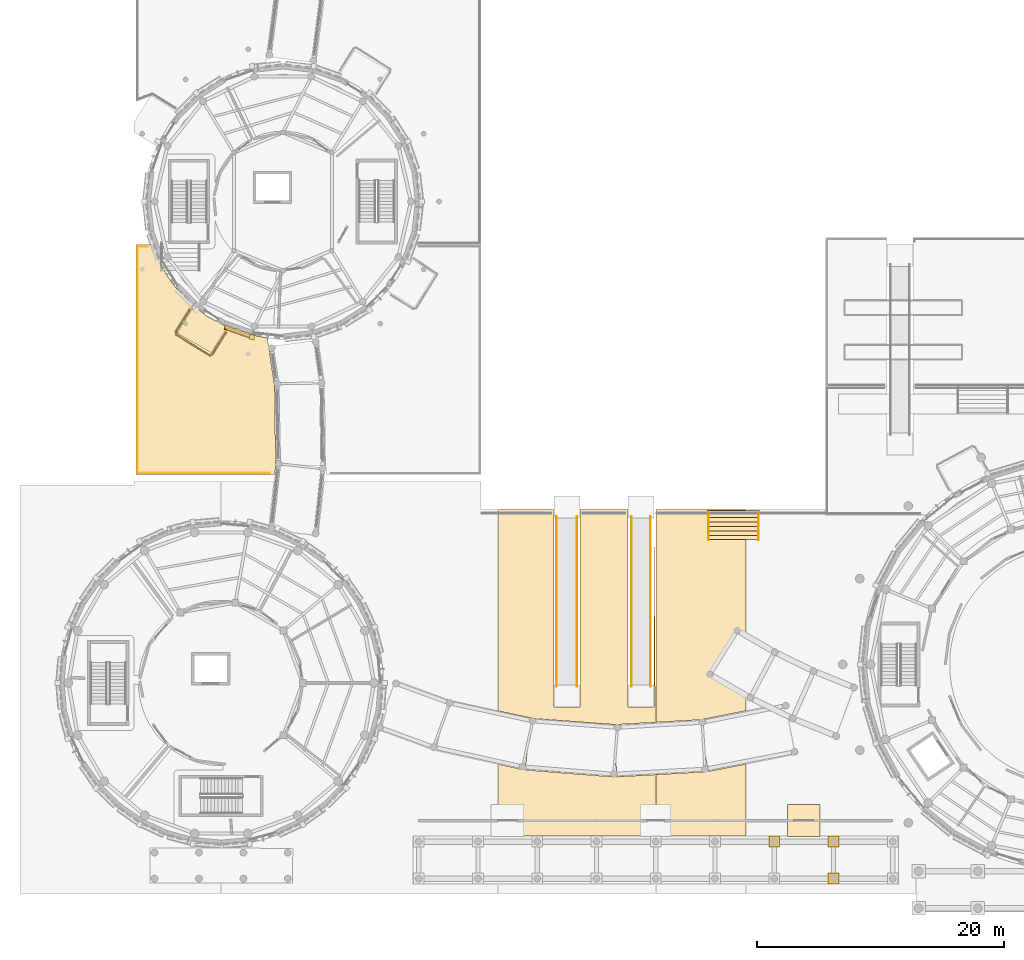
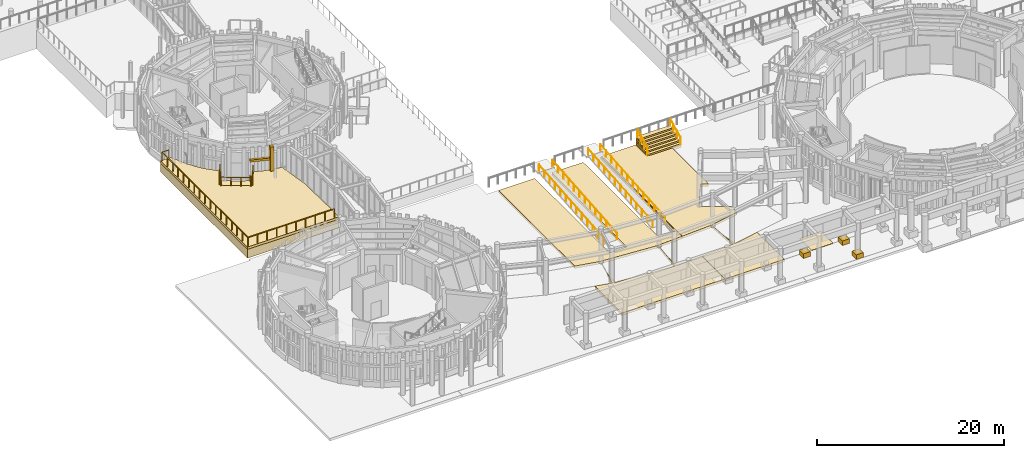
# One storey, part 70 of 94: 18 coverings, 8 railings.
"""IFC4 building model written with IfcOpenShell, lengths in metres."""

from ifc_helpers import new_model, si_unit, direction, frame, origin, origin_2d, place, context, subcontext, project, spatial, polyline, rectangle, circle, outline, extrude, material, layer, layer_set, type_object, element, save


model = new_model("IFC4")

# Units and contexts
model_context = context("Model", 3, precision=1e-05, world=origin(), true_north=direction((0.0, 1.0)))
body_context = subcontext(model_context, "Body", "Model", "MODEL_VIEW")
ifc_project = project(units=[si_unit("LENGTHUNIT", "METRE"), si_unit("AREAUNIT", "SQUARE_METRE"), si_unit("VOLUMEUNIT", "CUBIC_METRE"), si_unit("PLANEANGLEUNIT", "RADIAN"), si_unit("MASSUNIT", "GRAM", prefix="KILO")], contexts=[model_context])

# Site, building, storey
site_placement = place(None, origin())
site = spatial("IfcSite", under=ifc_project, at=site_placement, CompositionType="ELEMENT")
building_placement = place(site_placement, origin())
building = spatial("IfcBuilding", under=site, at=building_placement, Name="Aldenvaro Health Centre", CompositionType="ELEMENT")
storey_placement = place(building_placement, origin())
storey = spatial("IfcBuildingStorey", under=building, at=storey_placement, Name="L00", CompositionType="ELEMENT", Elevation=0.0)

# Coverings
ifc_material_1 = material(Name="Honed Sonoran Buff Limestone", Category="masonry")
ifc_layer_1 = layer(ifc_material_1, 0.280029296875, Name="Honed Sonoran Buff Limestone", Category="masonry")
ifc_layer_set_1 = layer_set([ifc_layer_1], Name="Honed Sonoran Buff Limestone")
covering_type_1 = type_object("IfcCoveringType", Name="COV-CRN-STN", PredefinedType="CLADDING", material=ifc_layer_set_1)
covering_1_placement = place(storey_placement, frame((19.81103515625, 46.955078125, 0.0), z_axis=(0.0, 0.0, 1.0), x_axis=(-0.943909441385, 0.330204431323, 0.0)))
element("IfcCovering", 1, at=covering_1_placement, inside=storey, type_object=covering_type_1, Name="D3 L00 Rusticated Limestone Plinth 9.1", PredefinedType="CLADDING", context=body_context, shape_type="SweptSolid", body=[
    extrude(rectangle(XDim=2.160888671875, YDim=0.340087890625, at=origin_2d()), origin(), (0.0, 0.0, 1.0), 0.719970703125),
])
covering_2_placement = place(storey_placement, frame((19.821044921875, 46.98291015625, 2.5498046875), z_axis=(0.0, 0.0, 1.0), x_axis=(-0.943909441385, 0.330204431323, 0.0)))
element("IfcCovering", 2, at=covering_2_placement, inside=storey, type_object=covering_type_1, Name="D3 L00 Rusticated Limestone Plinth 9.2", PredefinedType="CLADDING", context=body_context, shape_type="SweptSolid", body=[
    extrude(rectangle(XDim=2.160888671875, YDim=0.280029296875, at=origin_2d()), origin(), (0.0, 0.0, 1.0), 0.280029296875),
])
covering_3_placement = place(storey_placement, frame((20.9990234375, 46.5419921875, -0.00048828125), z_axis=(0.0, 0.0, 1.0), x_axis=(-0.222473549538, -0.974938726155, 0.0)))
element("IfcCovering", 3, at=covering_3_placement, inside=storey, type_object=covering_type_1, Name="D3 L00 Engaged Classical Limestone Pilaster 05", PredefinedType="CLADDING", context=body_context, shape_type="SweptSolid", body=[
    extrude(rectangle(XDim=0.43994140625, YDim=0.3798828125, at=origin_2d()), origin(), (0.0, 0.0, 1.0), 4.304931640625),
])
covering_4_placement = place(storey_placement, frame((0.0, 0.0, -0.320068359375)))
element("IfcCovering", 4, at=covering_4_placement, inside=storey, type_object=covering_type_1, Name="Lower Foothill Wing and Amphitheatre Court Terrace Rusticated Foothill Stone Plinth 6", PredefinedType="CLADDING", context=body_context, shape_type="SweptSolid", body=[
    extrude(outline(polyline([(12.846923828125, 54.0), (13.675048828125, 52.2490234375), (14.237060546875, 51.31103515625), (14.888916015625, 50.43310546875), (16.24609375, 49.05810546875), (14.923095703125, 46.949951171875), (14.965087890625, 46.764892578125), (17.5869140625, 45.136962890625), (17.72412109375, 45.20703125), (19.029052734375, 47.282958984375), (20.26611328125, 46.840087890625), (22.248046875, 46.43701171875), (22.806884765625, 42.655029296875), (22.9208984375, 36.152099609375), (22.8369140625, 35.39990234375), (11.60009765625, 35.39990234375), (11.60009765625, 54.0), (12.846923828125, 54.0)])), origin(), (0.0, 0.0, 1.0), 1.150146484375),
])
covering_5_placement = place(storey_placement, frame((0.0, 0.0, -0.320068359375)))
element("IfcCovering", 5, at=covering_5_placement, inside=storey, type_object=covering_type_1, Name="Classical Terrace Grand Stair GST-C1 Solid Stone Carriage", PredefinedType="CLADDING", context=body_context, shape_type="SweptSolid", body=[
    extrude(outline(polyline([(57.89990234375, 30.10009765625), (62.10009765625, 30.10009765625), (62.10009765625, 32.4599609375), (57.89990234375, 32.4599609375), (57.89990234375, 30.10009765625)])), origin(), (0.0, 0.0, 1.0), 0.511962890625),
])
for number, where, z_axis, x_axis, name in (
    (6, (63.300048828125, 5.64990234375, 0.0), (0.0, 0.0, 1.0), (1.0, 0.0, 0.0), "South Stoa Classical Column Plinth 14"),
    (7, (68.10009765625, 2.64990234375, 0.0), (0.0, 0.0, 1.0), (1.0, 0.0, 0.0), "South Stoa Classical Column Plinth 15"),
    (8, (68.10009765625, 5.64990234375, 0.0), (0.0, 0.0, 1.0), (1.0, 0.0, 0.0), "South Stoa Classical Column Plinth 16"),
):
    element("IfcCovering", number, at=place(storey_placement, frame(where, z_axis=z_axis, x_axis=x_axis)), inside=storey, type_object=covering_type_1, Name=name, PredefinedType="CLADDING", context=body_context, shape_type="SweptSolid", body=[
        extrude(rectangle(XDim=0.8798828125, YDim=0.8798828125, at=origin_2d()), origin(), (0.0, 0.0, 1.0), 0.60009765625),
    ])
ifc_material_2 = material(Name="Honed Arizona Limestone Walk", Category="masonry")
ifc_layer_2 = layer(ifc_material_2, 0.06005859375, Name="Honed Arizona Limestone Walk", Category="masonry")
ifc_layer_set_2 = layer_set([ifc_layer_2], Name="Honed Arizona Limestone Walk")
covering_type_2 = type_object("IfcCoveringType", Name="COV-GDN-PATH", PredefinedType="FLOORING", material=ifc_layer_set_2)
covering_6_placement = place(storey_placement, origin())
element("IfcCovering", 9, at=covering_6_placement, inside=storey, type_object=covering_type_2, Name="Therapy Garden Security Gate Threshold Apron 3", PredefinedType="FLOORING", context=body_context, shape_type="SweptSolid", body=[
    extrude(outline(polyline([(64.3759765625, 6.050048828125), (67.02587890625, 6.050048828125), (67.02587890625, 8.64990234375), (64.3759765625, 8.64990234375), (64.3759765625, 6.050048828125)])), origin(), (0.0, 0.0, 1.0), 0.0400390625),
])
ifc_material_3 = material(Name="Honed Sonoran Buff Travertine", Category="masonry")
ifc_layer_3 = layer(ifc_material_3, 0.320068359375, Name="Honed Sonoran Buff Travertine", Category="masonry")
ifc_layer_set_3 = layer_set([ifc_layer_3], Name="Honed Sonoran Buff Travertine")
covering_type_3 = type_object("IfcCoveringType", Name="COV-POD-320", PredefinedType="FLOORING", material=ifc_layer_set_3)
covering_7_placement = place(storey_placement, frame((0.0, 0.0, -0.320068359375)))
element("IfcCovering", 10, at=covering_7_placement, inside=storey, type_object=covering_type_3, Name="South Street Entrance Stylobate Forecourt Section 3", PredefinedType="FLOORING", context=body_context, shape_type="SweptSolid", body=[
    extrude(outline(polyline([(47.56005859375, 16.549072265625), (47.56005859375, 32.550048828125), (51.43994140625, 32.550048828125), (51.449951171875, 16.5400390625), (53.56005859375, 16.549072265625), (53.56005859375, 32.550048828125), (53.68408203125, 15.30810546875), (50.64501953125, 15.134033203125), (50.447021484375, 12.7109375), (50.553955078125, 10.89599609375), (53.68408203125, 11.072021484375), (53.68408203125, 6.111083984375), (40.962890625, 6.116943359375), (40.962890625, 11.909912109375), (42.881103515625, 11.490966796875), (43.318115234375, 13.409912109375), (43.158935546875, 11.449951171875), (50.284912109375, 10.888916015625), (50.632080078125, 15.10693359375), (43.799072265625, 15.614990234375), (40.962890625, 16.222900390625), (40.962890625, 32.550048828125), (45.43994140625, 32.550048828125), (45.449951171875, 16.5400390625), (47.56005859375, 16.549072265625)])), origin(), (0.0, 0.0, 1.0), 0.320068359375),
])
covering_8_placement = place(storey_placement, frame((0.0, 0.0, -0.320068359375)))
element("IfcCovering", 11, at=covering_8_placement, inside=storey, type_object=covering_type_3, Name="South Street Entrance Stylobate Forecourt Section 6", PredefinedType="FLOORING", context=body_context, shape_type="SweptSolid", body=[
    extrude(outline(polyline([(53.714111328125, 6.111083984375), (53.714111328125, 11.073974609375), (57.7109375, 11.300048828125), (57.47412109375, 15.52490234375), (53.714111328125, 15.31005859375), (53.714111328125, 32.550048828125), (61.02490234375, 32.550048828125), (61.02490234375, 22.35400390625), (60.29296875, 22.778076171875), (58.0458984375, 19.197998046875), (61.02490234375, 17.467041015625), (61.02490234375, 16.2451171875), (57.47900390625, 15.5439453125), (57.616943359375, 13.1240234375), (57.97607421875, 11.3349609375), (61.02490234375, 11.93310546875), (61.02490234375, 6.10791015625), (53.714111328125, 6.111083984375)])), origin(), (0.0, 0.0, 1.0), 0.320068359375),
])
covering_9_placement = place(storey_placement, frame((0.0, 0.0, -0.320068359375)))
element("IfcCovering", 12, at=covering_9_placement, inside=storey, type_object=covering_type_3, Name="South Street Entrance Stylobate Forecourt Section 18", PredefinedType="FLOORING", context=body_context, shape_type="SweptSolid", body=[
    extrude(outline(polyline([(19.0048828125, 47.31494140625), (17.696044921875, 45.238037109375), (15.0009765625, 46.7900390625), (14.966064453125, 46.943115234375), (16.277099609375, 49.030029296875), (17.31103515625, 48.237060546875), (19.0048828125, 47.31494140625)])), origin(), (0.0, 0.0, 1.0), 0.320068359375),
])
covering_10_placement = place(storey_placement, frame((0.0, 0.0, 0.830078125)))
element("IfcCovering", 13, at=covering_10_placement, inside=storey, type_object=covering_type_3, Name="Lower Foothill Wing and Amphitheatre Court Terrace Coping Deck 6", PredefinedType="FLOORING", context=body_context, shape_type="SweptSolid", body=[
    extrude(outline(polyline([(12.846923828125, 54.0), (13.675048828125, 52.2490234375), (14.237060546875, 51.31103515625), (14.888916015625, 50.43310546875), (16.24609375, 49.05810546875), (14.923095703125, 46.949951171875), (14.965087890625, 46.764892578125), (17.5869140625, 45.136962890625), (17.72412109375, 45.20703125), (19.029052734375, 47.282958984375), (20.26611328125, 46.840087890625), (22.248046875, 46.43701171875), (22.806884765625, 42.655029296875), (22.9208984375, 36.152099609375), (22.8369140625, 35.39990234375), (11.60009765625, 35.39990234375), (11.60009765625, 54.0), (12.846923828125, 54.0)])), origin(), (0.0, 0.0, 1.0), 0.31982421875),
])
covering_11_placement = place(storey_placement, frame((0.0, 0.0, 0.19189453125)))
element("IfcCovering", 14, at=covering_11_placement, inside=storey, type_object=covering_type_3, Name="Classical Terrace Grand Stair GST-C1 Stone Step 2", PredefinedType="FLOORING", context=body_context, shape_type="SweptSolid", body=[
    extrude(outline(polyline([(57.89990234375, 30.4599609375), (62.10009765625, 30.4599609375), (62.10009765625, 32.4599609375), (57.89990234375, 32.4599609375), (57.89990234375, 30.4599609375)])), origin(), (0.0, 0.0, 1.0), 0.191162109375),
])
covering_12_placement = place(storey_placement, frame((0.0, 0.0, 0.383056640625)))
element("IfcCovering", 15, at=covering_12_placement, inside=storey, type_object=covering_type_3, Name="Classical Terrace Grand Stair GST-C1 Stone Step 3", PredefinedType="FLOORING", context=body_context, shape_type="SweptSolid", body=[
    extrude(outline(polyline([(57.89990234375, 30.820068359375), (62.10009765625, 30.820068359375), (62.10009765625, 32.4599609375), (57.89990234375, 32.4599609375), (57.89990234375, 30.820068359375)])), origin(), (0.0, 0.0, 1.0), 0.19189453125),
])
covering_13_placement = place(storey_placement, frame((0.0, 0.0, 0.574951171875)))
element("IfcCovering", 16, at=covering_13_placement, inside=storey, type_object=covering_type_3, Name="Classical Terrace Grand Stair GST-C1 Stone Step 4", PredefinedType="FLOORING", context=body_context, shape_type="SweptSolid", body=[
    extrude(outline(polyline([(57.89990234375, 31.179931640625), (62.10009765625, 31.179931640625), (62.10009765625, 32.4599609375), (57.89990234375, 32.4599609375), (57.89990234375, 31.179931640625)])), origin(), (0.0, 0.0, 1.0), 0.192138671875),
])
covering_14_placement = place(storey_placement, frame((0.0, 0.0, 0.76708984375)))
element("IfcCovering", 17, at=covering_14_placement, inside=storey, type_object=covering_type_3, Name="Classical Terrace Grand Stair GST-C1 Stone Step 5", PredefinedType="FLOORING", context=body_context, shape_type="SweptSolid", body=[
    extrude(outline(polyline([(57.89990234375, 31.5400390625), (62.10009765625, 31.5400390625), (62.10009765625, 32.4599609375), (57.89990234375, 32.4599609375), (57.89990234375, 31.5400390625)])), origin(), (0.0, 0.0, 1.0), 0.19091796875),
])
covering_15_placement = place(storey_placement, frame((0.0, 0.0, 0.9580078125)))
element("IfcCovering", 18, at=covering_15_placement, inside=storey, type_object=covering_type_3, Name="Classical Terrace Grand Stair GST-C1 Stone Step 6", PredefinedType="FLOORING", context=body_context, shape_type="SweptSolid", body=[
    extrude(outline(polyline([(57.89990234375, 31.89990234375), (62.10009765625, 31.89990234375), (62.10009765625, 32.4599609375), (57.89990234375, 32.4599609375), (57.89990234375, 31.89990234375)])), origin(), (0.0, 0.0, 1.0), 0.19189453125),
])

# Railings
ifc_material_4 = material(Name="Painted Architectural Steel", Category="steel")
railing_type_1 = type_object("IfcRailingType", Name="RL-BAL-110", PredefinedType="GUARDRAIL", material=ifc_material_4)
for number, where, name in (
    (19, (57.97998046875, 30.10009765625, 0.0), "Classical Terrace Grand Stair GST-C1 Balustrade W"),
    (20, (62.02001953125, 30.10009765625, 0.0), "Classical Terrace Grand Stair GST-C1 Balustrade E"),
):
    element("IfcRailing", number, at=place(storey_placement, frame(where)), inside=storey, type_object=railing_type_1, Name=name, PredefinedType="GUARDRAIL", context=body_context, shape_type="SweptSolid", body=[
        extrude(circle(Radius=0.02392578125, at=origin_2d()), frame((0.0, 0.0, 1.076171875), z_axis=(0.0, 0.882700700626, 0.469935605284), x_axis=(-1.0, 0.0, 0.0)), (0.0, 0.0, 1.0), 2.447021484375),
        extrude(circle(Radius=0.02099609375, at=origin_2d()), origin(), (0.0, 0.0, 1.0), 1.052001953125),
        extrude(circle(Radius=0.02099609375, at=origin_2d()), frame((0.0, 0.719970703125, 0.38330078125)), (0.0, 0.0, 1.0), 1.052001953125),
        extrude(circle(Radius=0.02099609375, at=origin_2d()), frame((0.0, 1.43994140625, 0.7666015625)), (0.0, 0.0, 1.0), 1.052001953125),
        extrude(circle(Radius=0.02099609375, at=origin_2d()), frame((0.0, 2.159912109375, 1.14990234375)), (0.0, 0.0, 1.0), 1.052001953125),
    ])
railing_type_2 = type_object("IfcRailingType", Name="RL-BAL-115", PredefinedType="GUARDRAIL", material=ifc_material_4)
railing_1_placement = place(storey_placement, frame((15.93505859375, 48.7880859375, 1.14990234375)))
element("IfcRailing", 21, at=railing_1_placement, inside=storey, type_object=railing_type_2, Name="Lower Foothill Wing and Amphitheatre Court Terrace Classical Balustrade 12", PredefinedType="GUARDRAIL", context=body_context, shape_type="SweptSolid", body=[
    extrude(circle(Radius=0.02392578125, at=origin_2d()), frame((0.0, 0.0, 1.1357421875), z_axis=(-0.531686473194, -0.846941257835, 0.0), x_axis=(0.846941257835, -0.531686473194, 0.0)), (0.0, 0.0, 1.0), 2.144287109375),
    extrude(circle(Radius=0.02392578125, at=origin_2d()), frame((-1.14013671875, -1.816162109375, 1.1357421875), z_axis=(0.221219645419, -0.975224009385, 0.0), x_axis=(0.975224009385, 0.221219645419, 0.0)), (0.0, 0.0, 1.0), 0.2890625),
    extrude(circle(Radius=0.02392578125, at=origin_2d()), frame((-1.076171875, -2.09814453125, 1.1357421875), z_axis=(0.849458842314, -0.527654882679, 0.0), x_axis=(0.527654882679, 0.849458842314, 0.0)), (0.0, 0.0, 1.0), 3.20458984375),
    extrude(circle(Radius=0.02392578125, at=origin_2d()), frame((1.64599609375, -3.7890625, 1.1357421875), z_axis=(0.890564000386, 0.454857957187, 0.0), x_axis=(-0.454857957187, 0.890564000386, 0.0)), (0.0, 0.0, 1.0), 0.2548828125),
    extrude(circle(Radius=0.02392578125, at=origin_2d()), frame((1.873046875, -3.673095703125, 1.1357421875), z_axis=(0.532131225765, 0.846661891528, 0.0), x_axis=(-0.846661891528, 0.532131225765, 0.0)), (0.0, 0.0, 1.0), 2.108154296875),
    extrude(circle(Radius=0.02099609375, at=origin_2d()), origin(), (0.0, 0.0, 1.0), 1.11181640625),
    extrude(circle(Radius=0.02099609375, at=origin_2d()), frame((-0.570068359375, -0.908203125, 0.0)), (0.0, 0.0, 1.0), 1.11181640625),
    extrude(circle(Radius=0.02099609375, at=origin_2d()), frame((-1.14013671875, -1.816162109375, 0.0)), (0.0, 0.0, 1.0), 1.11181640625),
    extrude(circle(Radius=0.02099609375, at=origin_2d()), frame((-1.076171875, -2.09814453125, 0.0)), (0.0, 0.0, 1.0), 1.11181640625),
    extrude(circle(Radius=0.02099609375, at=origin_2d()), frame((-0.168701171875, -2.661865234375, 0.0)), (0.0, 0.0, 1.0), 1.11181640625),
    extrude(circle(Radius=0.02099609375, at=origin_2d()), frame((0.738525390625, -3.225341796875, 0.0)), (0.0, 0.0, 1.0), 1.11181640625),
    extrude(circle(Radius=0.02099609375, at=origin_2d()), frame((1.64599609375, -3.7890625, 0.0)), (0.0, 0.0, 1.0), 1.11181640625),
    extrude(circle(Radius=0.02099609375, at=origin_2d()), frame((1.873046875, -3.673095703125, 0.0)), (0.0, 0.0, 1.0), 1.11181640625),
    extrude(circle(Radius=0.02099609375, at=origin_2d()), frame((2.43408203125, -2.78076171875, 0.0)), (0.0, 0.0, 1.0), 1.11181640625),
    extrude(circle(Radius=0.02099609375, at=origin_2d()), frame((2.994873046875, -1.88818359375, 0.0)), (0.0, 0.0, 1.0), 1.11181640625),
])
railing_2_placement = place(storey_placement, frame((22.41796875, 35.52001953125, 1.14990234375)))
element("IfcRailing", 22, at=railing_2_placement, inside=storey, type_object=railing_type_2, Name="Lower Foothill Wing and Amphitheatre Court Terrace Classical Balustrade 13", PredefinedType="GUARDRAIL", context=body_context, shape_type="SweptSolid", body=[
    extrude(circle(Radius=0.02392578125, at=origin_2d()), frame((0.0, 0.0, 1.1357421875), z_axis=(-1.0, 0.0, 0.0), x_axis=(0.0, -1.0, 0.0)), (0.0, 0.0, 1.0), 10.697998046875),
    extrude(circle(Radius=0.02392578125, at=origin_2d()), frame((-10.697998046875, 0.0, 1.1357421875), z_axis=(0.0, 1.0, 0.0), x_axis=(-1.0, 0.0, 0.0)), (0.0, 0.0, 1.0), 18.35986328125),
    extrude(circle(Radius=0.02392578125, at=origin_2d()), frame((-10.697998046875, 18.35986328125, 1.1357421875), z_axis=(1.0, 0.0, 0.0), x_axis=(0.0, 1.0, 0.0)), (0.0, 0.0, 1.0), 0.822998046875),
    extrude(circle(Radius=0.02099609375, at=origin_2d()), origin(), (0.0, 0.0, 1.0), 1.11181640625),
    extrude(circle(Radius=0.02099609375, at=origin_2d()), frame((-1.188720703125, 0.0, 0.0)), (0.0, 0.0, 1.0), 1.11181640625),
    extrude(circle(Radius=0.02099609375, at=origin_2d()), frame((-2.37744140625, 0.0, 0.0)), (0.0, 0.0, 1.0), 1.11181640625),
    extrude(circle(Radius=0.02099609375, at=origin_2d()), frame((-3.56591796875, 0.0, 0.0)), (0.0, 0.0, 1.0), 1.11181640625),
    extrude(circle(Radius=0.02099609375, at=origin_2d()), frame((-4.754638671875, 0.0, 0.0)), (0.0, 0.0, 1.0), 1.11181640625),
    extrude(circle(Radius=0.02099609375, at=origin_2d()), frame((-5.943359375, 0.0, 0.0)), (0.0, 0.0, 1.0), 1.11181640625),
    extrude(circle(Radius=0.02099609375, at=origin_2d()), frame((-7.132080078125, 0.0, 0.0)), (0.0, 0.0, 1.0), 1.11181640625),
    extrude(circle(Radius=0.02099609375, at=origin_2d()), frame((-8.320556640625, 0.0, 0.0)), (0.0, 0.0, 1.0), 1.11181640625),
    extrude(circle(Radius=0.02099609375, at=origin_2d()), frame((-9.50927734375, 0.0, 0.0)), (0.0, 0.0, 1.0), 1.11181640625),
    extrude(circle(Radius=0.02099609375, at=origin_2d()), frame((-10.697998046875, 0.0, 0.0)), (0.0, 0.0, 1.0), 1.11181640625),
    extrude(circle(Radius=0.02099609375, at=origin_2d()), frame((-10.697998046875, 1.1474609375, 0.0)), (0.0, 0.0, 1.0), 1.11181640625),
    extrude(circle(Radius=0.02099609375, at=origin_2d()), frame((-10.697998046875, 2.294921875, 0.0)), (0.0, 0.0, 1.0), 1.11181640625),
    extrude(circle(Radius=0.02099609375, at=origin_2d()), frame((-10.697998046875, 3.4423828125, 0.0)), (0.0, 0.0, 1.0), 1.11181640625),
    extrude(circle(Radius=0.02099609375, at=origin_2d()), frame((-10.697998046875, 4.58984375, 0.0)), (0.0, 0.0, 1.0), 1.11181640625),
    extrude(circle(Radius=0.02099609375, at=origin_2d()), frame((-10.697998046875, 5.737548828125, 0.0)), (0.0, 0.0, 1.0), 1.11181640625),
    extrude(circle(Radius=0.02099609375, at=origin_2d()), frame((-10.697998046875, 6.885009765625, 0.0)), (0.0, 0.0, 1.0), 1.11181640625),
    extrude(circle(Radius=0.02099609375, at=origin_2d()), frame((-10.697998046875, 8.032470703125, 0.0)), (0.0, 0.0, 1.0), 1.11181640625),
    extrude(circle(Radius=0.02099609375, at=origin_2d()), frame((-10.697998046875, 9.179931640625, 0.0)), (0.0, 0.0, 1.0), 1.11181640625),
    extrude(circle(Radius=0.02099609375, at=origin_2d()), frame((-10.697998046875, 10.327392578125, 0.0)), (0.0, 0.0, 1.0), 1.11181640625),
    extrude(circle(Radius=0.02099609375, at=origin_2d()), frame((-10.697998046875, 11.474853515625, 0.0)), (0.0, 0.0, 1.0), 1.11181640625),
    extrude(circle(Radius=0.02099609375, at=origin_2d()), frame((-10.697998046875, 12.622314453125, 0.0)), (0.0, 0.0, 1.0), 1.11181640625),
    extrude(circle(Radius=0.02099609375, at=origin_2d()), frame((-10.697998046875, 13.77001953125, 0.0)), (0.0, 0.0, 1.0), 1.11181640625),
    extrude(circle(Radius=0.02099609375, at=origin_2d()), frame((-10.697998046875, 14.91748046875, 0.0)), (0.0, 0.0, 1.0), 1.11181640625),
    extrude(circle(Radius=0.02099609375, at=origin_2d()), frame((-10.697998046875, 16.06494140625, 0.0)), (0.0, 0.0, 1.0), 1.11181640625),
    extrude(circle(Radius=0.02099609375, at=origin_2d()), frame((-10.697998046875, 17.21240234375, 0.0)), (0.0, 0.0, 1.0), 1.11181640625),
    extrude(circle(Radius=0.02099609375, at=origin_2d()), frame((-10.697998046875, 18.35986328125, 0.0)), (0.0, 0.0, 1.0), 1.11181640625),
    extrude(circle(Radius=0.02099609375, at=origin_2d()), frame((-9.875, 18.35986328125, 0.0)), (0.0, 0.0, 1.0), 1.11181640625),
])
railing_type_3 = type_object("IfcRailingType", Name="RL-HND-092", PredefinedType="HANDRAIL", material=ifc_material_4)
railing_3_placement = place(storey_placement, frame((45.659912109375, 18.199951171875, 0.0)))
element("IfcRailing", 23, at=railing_3_placement, inside=storey, type_object=railing_type_3, Name="Stepped Foothill Ramp 1 Handrail L", PredefinedType="HANDRAIL", context=body_context, shape_type="SweptSolid", body=[
    extrude(circle(Radius=0.02392578125, at=origin_2d()), frame((0.0, 0.0, 0.89599609375), z_axis=(0.0, 0.996546366156, 0.083038184601), x_axis=(-1.0, 0.0, 0.0)), (0.0, 0.0, 1.0), 13.847900390625),
    extrude(circle(Radius=0.02099609375, at=origin_2d()), origin(), (0.0, 0.0, 1.0), 0.871826171875),
    extrude(circle(Radius=0.02099609375, at=origin_2d()), frame((0.0, 1.14990234375, 0.095703125)), (0.0, 0.0, 1.0), 0.871826171875),
    extrude(circle(Radius=0.02099609375, at=origin_2d()), frame((0.0, 2.300048828125, 0.191650390625)), (0.0, 0.0, 1.0), 0.871826171875),
    extrude(circle(Radius=0.02099609375, at=origin_2d()), frame((0.0, 3.449951171875, 0.28759765625)), (0.0, 0.0, 1.0), 0.871826171875),
    extrude(circle(Radius=0.02099609375, at=origin_2d()), frame((0.0, 4.60009765625, 0.38330078125)), (0.0, 0.0, 1.0), 0.871826171875),
    extrude(circle(Radius=0.02099609375, at=origin_2d()), frame((0.0, 5.75, 0.47900390625)), (0.0, 0.0, 1.0), 0.871826171875),
    extrude(circle(Radius=0.02099609375, at=origin_2d()), frame((0.0, 6.89990234375, 0.574951171875)), (0.0, 0.0, 1.0), 0.871826171875),
    extrude(circle(Radius=0.02099609375, at=origin_2d()), frame((0.0, 8.050048828125, 0.6708984375)), (0.0, 0.0, 1.0), 0.871826171875),
    extrude(circle(Radius=0.02099609375, at=origin_2d()), frame((0.0, 9.199951171875, 0.7666015625)), (0.0, 0.0, 1.0), 0.871826171875),
    extrude(circle(Radius=0.02099609375, at=origin_2d()), frame((0.0, 10.35009765625, 0.8623046875)), (0.0, 0.0, 1.0), 0.871826171875),
    extrude(circle(Radius=0.02099609375, at=origin_2d()), frame((0.0, 11.5, 0.958251953125)), (0.0, 0.0, 1.0), 0.871826171875),
    extrude(circle(Radius=0.02099609375, at=origin_2d()), frame((0.0, 12.650146484375, 1.05419921875)), (0.0, 0.0, 1.0), 0.871826171875),
    extrude(circle(Radius=0.02099609375, at=origin_2d()), frame((0.0, 13.800048828125, 1.14990234375)), (0.0, 0.0, 1.0), 0.871826171875),
])
railing_4_placement = place(storey_placement, frame((47.340087890625, 18.199951171875, 0.0)))
element("IfcRailing", 24, at=railing_4_placement, inside=storey, type_object=railing_type_3, Name="Stepped Foothill Ramp 1 Handrail R", PredefinedType="HANDRAIL", context=body_context, shape_type="SweptSolid", body=[
    extrude(circle(Radius=0.02392578125, at=origin_2d()), frame((0.0, 0.0, 0.89599609375), z_axis=(0.0, 0.996546366156, 0.083038184601), x_axis=(-1.0, 0.0, 0.0)), (0.0, 0.0, 1.0), 13.847900390625),
    extrude(circle(Radius=0.02099609375, at=origin_2d()), origin(), (0.0, 0.0, 1.0), 0.871826171875),
    extrude(circle(Radius=0.02099609375, at=origin_2d()), frame((0.0, 1.14990234375, 0.095703125)), (0.0, 0.0, 1.0), 0.871826171875),
    extrude(circle(Radius=0.02099609375, at=origin_2d()), frame((0.0, 2.300048828125, 0.191650390625)), (0.0, 0.0, 1.0), 0.871826171875),
    extrude(circle(Radius=0.02099609375, at=origin_2d()), frame((0.0, 3.449951171875, 0.28759765625)), (0.0, 0.0, 1.0), 0.871826171875),
    extrude(circle(Radius=0.02099609375, at=origin_2d()), frame((0.0, 4.60009765625, 0.38330078125)), (0.0, 0.0, 1.0), 0.871826171875),
    extrude(circle(Radius=0.02099609375, at=origin_2d()), frame((0.0, 5.75, 0.47900390625)), (0.0, 0.0, 1.0), 0.871826171875),
    extrude(circle(Radius=0.02099609375, at=origin_2d()), frame((0.0, 6.89990234375, 0.574951171875)), (0.0, 0.0, 1.0), 0.871826171875),
    extrude(circle(Radius=0.02099609375, at=origin_2d()), frame((0.0, 8.050048828125, 0.6708984375)), (0.0, 0.0, 1.0), 0.871826171875),
    extrude(circle(Radius=0.02099609375, at=origin_2d()), frame((0.0, 9.199951171875, 0.7666015625)), (0.0, 0.0, 1.0), 0.871826171875),
    extrude(circle(Radius=0.02099609375, at=origin_2d()), frame((0.0, 10.35009765625, 0.8623046875)), (0.0, 0.0, 1.0), 0.871826171875),
    extrude(circle(Radius=0.02099609375, at=origin_2d()), frame((0.0, 11.5, 0.958251953125)), (0.0, 0.0, 1.0), 0.871826171875),
    extrude(circle(Radius=0.02099609375, at=origin_2d()), frame((0.0, 12.650146484375, 1.05419921875)), (0.0, 0.0, 1.0), 0.871826171875),
    extrude(circle(Radius=0.02099609375, at=origin_2d()), frame((0.0, 13.800048828125, 1.14990234375)), (0.0, 0.0, 1.0), 0.871826171875),
])
railing_5_placement = place(storey_placement, frame((51.735107421875, 18.199951171875, 0.0)))
element("IfcRailing", 25, at=railing_5_placement, inside=storey, type_object=railing_type_3, Name="Stepped Foothill Ramp 2 Handrail L", PredefinedType="HANDRAIL", context=body_context, shape_type="SweptSolid", body=[
    extrude(circle(Radius=0.02392578125, at=origin_2d()), frame((0.0, 0.0, 0.89599609375), z_axis=(0.0, 0.996546366156, 0.083038184601), x_axis=(-1.0, 0.0, 0.0)), (0.0, 0.0, 1.0), 13.847900390625),
    extrude(circle(Radius=0.02099609375, at=origin_2d()), origin(), (0.0, 0.0, 1.0), 0.871826171875),
    extrude(circle(Radius=0.02099609375, at=origin_2d()), frame((0.0, 1.14990234375, 0.095703125)), (0.0, 0.0, 1.0), 0.871826171875),
    extrude(circle(Radius=0.02099609375, at=origin_2d()), frame((0.0, 2.300048828125, 0.191650390625)), (0.0, 0.0, 1.0), 0.871826171875),
    extrude(circle(Radius=0.02099609375, at=origin_2d()), frame((0.0, 3.449951171875, 0.28759765625)), (0.0, 0.0, 1.0), 0.871826171875),
    extrude(circle(Radius=0.02099609375, at=origin_2d()), frame((0.0, 4.60009765625, 0.38330078125)), (0.0, 0.0, 1.0), 0.871826171875),
    extrude(circle(Radius=0.02099609375, at=origin_2d()), frame((0.0, 5.75, 0.47900390625)), (0.0, 0.0, 1.0), 0.871826171875),
    extrude(circle(Radius=0.02099609375, at=origin_2d()), frame((0.0, 6.89990234375, 0.574951171875)), (0.0, 0.0, 1.0), 0.871826171875),
    extrude(circle(Radius=0.02099609375, at=origin_2d()), frame((0.0, 8.050048828125, 0.6708984375)), (0.0, 0.0, 1.0), 0.871826171875),
    extrude(circle(Radius=0.02099609375, at=origin_2d()), frame((0.0, 9.199951171875, 0.7666015625)), (0.0, 0.0, 1.0), 0.871826171875),
    extrude(circle(Radius=0.02099609375, at=origin_2d()), frame((0.0, 10.35009765625, 0.8623046875)), (0.0, 0.0, 1.0), 0.871826171875),
    extrude(circle(Radius=0.02099609375, at=origin_2d()), frame((0.0, 11.5, 0.958251953125)), (0.0, 0.0, 1.0), 0.871826171875),
    extrude(circle(Radius=0.02099609375, at=origin_2d()), frame((0.0, 12.650146484375, 1.05419921875)), (0.0, 0.0, 1.0), 0.871826171875),
    extrude(circle(Radius=0.02099609375, at=origin_2d()), frame((0.0, 13.800048828125, 1.14990234375)), (0.0, 0.0, 1.0), 0.871826171875),
])
railing_6_placement = place(storey_placement, frame((53.264892578125, 18.199951171875, 0.0)))
element("IfcRailing", 26, at=railing_6_placement, inside=storey, type_object=railing_type_3, Name="Stepped Foothill Ramp 2 Handrail R", PredefinedType="HANDRAIL", context=body_context, shape_type="SweptSolid", body=[
    extrude(circle(Radius=0.02392578125, at=origin_2d()), frame((0.0, 0.0, 0.89599609375), z_axis=(0.0, 0.996546366156, 0.083038184601), x_axis=(-1.0, 0.0, 0.0)), (0.0, 0.0, 1.0), 13.847900390625),
    extrude(circle(Radius=0.02099609375, at=origin_2d()), origin(), (0.0, 0.0, 1.0), 0.871826171875),
    extrude(circle(Radius=0.02099609375, at=origin_2d()), frame((0.0, 1.14990234375, 0.095703125)), (0.0, 0.0, 1.0), 0.871826171875),
    extrude(circle(Radius=0.02099609375, at=origin_2d()), frame((0.0, 2.300048828125, 0.191650390625)), (0.0, 0.0, 1.0), 0.871826171875),
    extrude(circle(Radius=0.02099609375, at=origin_2d()), frame((0.0, 3.449951171875, 0.28759765625)), (0.0, 0.0, 1.0), 0.871826171875),
    extrude(circle(Radius=0.02099609375, at=origin_2d()), frame((0.0, 4.60009765625, 0.38330078125)), (0.0, 0.0, 1.0), 0.871826171875),
    extrude(circle(Radius=0.02099609375, at=origin_2d()), frame((0.0, 5.75, 0.47900390625)), (0.0, 0.0, 1.0), 0.871826171875),
    extrude(circle(Radius=0.02099609375, at=origin_2d()), frame((0.0, 6.89990234375, 0.574951171875)), (0.0, 0.0, 1.0), 0.871826171875),
    extrude(circle(Radius=0.02099609375, at=origin_2d()), frame((0.0, 8.050048828125, 0.6708984375)), (0.0, 0.0, 1.0), 0.871826171875),
    extrude(circle(Radius=0.02099609375, at=origin_2d()), frame((0.0, 9.199951171875, 0.7666015625)), (0.0, 0.0, 1.0), 0.871826171875),
    extrude(circle(Radius=0.02099609375, at=origin_2d()), frame((0.0, 10.35009765625, 0.8623046875)), (0.0, 0.0, 1.0), 0.871826171875),
    extrude(circle(Radius=0.02099609375, at=origin_2d()), frame((0.0, 11.5, 0.958251953125)), (0.0, 0.0, 1.0), 0.871826171875),
    extrude(circle(Radius=0.02099609375, at=origin_2d()), frame((0.0, 12.650146484375, 1.05419921875)), (0.0, 0.0, 1.0), 0.871826171875),
    extrude(circle(Radius=0.02099609375, at=origin_2d()), frame((0.0, 13.800048828125, 1.14990234375)), (0.0, 0.0, 1.0), 0.871826171875),
])

save(model, "model.ifc")
